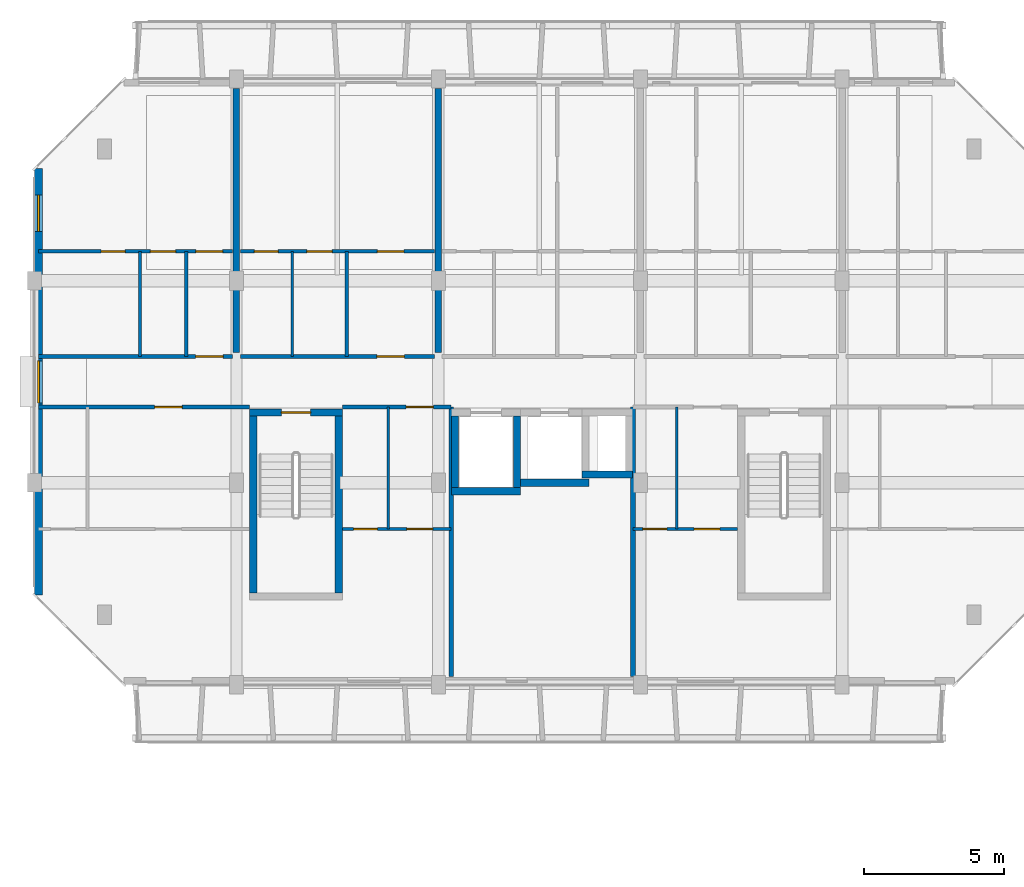
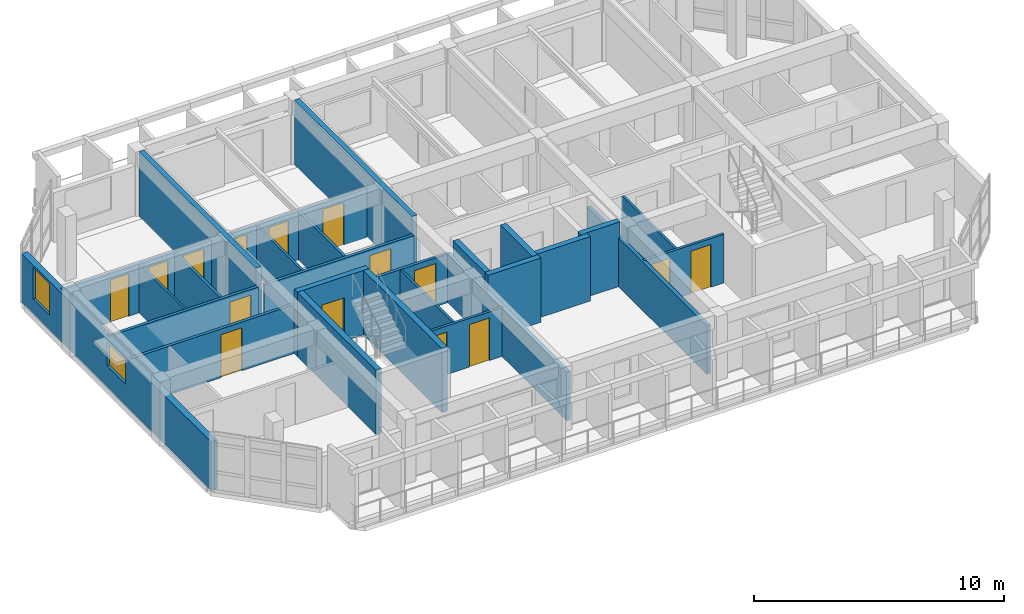
# One storey, part 26 of 51: 27 walls, 15 doors, 2 windows, 17 openings.
"""IFC4 building model written with IfcOpenShell, lengths in metres."""

from ifc_helpers import new_model, si_unit, direction, frame, frame_2d, origin, place, context, subcontext, project, spatial, rectangle, extrude, material, layer, layer_set, type_object, element, fill, save


model = new_model("IFC4")

# Units and contexts
model_context = context("Model", 3, precision=1e-05, world=origin(), true_north=direction((0.0, 1.0)))
body_context = subcontext(model_context, "Body", "Model", "MODEL_VIEW")
ifc_project = project(units=[si_unit("LENGTHUNIT", "METRE"), si_unit("AREAUNIT", "SQUARE_METRE"), si_unit("VOLUMEUNIT", "CUBIC_METRE"), si_unit("PLANEANGLEUNIT", "RADIAN"), si_unit("MASSUNIT", "GRAM", prefix="KILO")], contexts=[model_context])

# Site, building, storey
site_placement = place(None, origin())
site = spatial("IfcSite", under=ifc_project, at=site_placement, CompositionType="ELEMENT")
building_placement = place(site_placement, origin())
building = spatial("IfcBuilding", under=site, at=building_placement, Name="Ochrevale Crest", CompositionType="ELEMENT")
storey_placement = place(building_placement, frame((0.0, 0.0, 11.85009765625)))
storey = spatial("IfcBuildingStorey", under=building, at=storey_placement, Name="L03", CompositionType="ELEMENT", Elevation=11.85009765625)

# Wall, opening, door
ifc_material_1 = material(Name="Gypsum plasterboard", Category="gypsum")
ifc_layer_1 = layer(ifc_material_1, 0.139892578125)
ifc_layer_set_1 = layer_set([ifc_layer_1], Name="Gypsum plasterboard")
wall_type_1 = type_object("IfcWallType", Name="WL-COR-140", PredefinedType="PARTITIONING", material=ifc_layer_set_1)
wall_1_placement = place(storey_placement, frame((0.139892578125, 83.699951171875, 0.0), z_axis=(0.0, 0.0, 1.0), x_axis=(1.0, 0.0, 0.0)))
wall_1 = element("IfcWall", 1, at=wall_1_placement, inside=storey, type_object=wall_type_1, Name="Apartment B-L03-U1 corridor wall", PredefinedType="PARTITIONING", context=body_context, shape_type="SweptSolid", body=[
    extrude(rectangle(XDim=6.920166015625, YDim=0.139892578125, at=frame_2d((3.4599609375, 0.0))), origin(), (0.0, 0.0, 1.0), 2.3798828125),
])
opening_1_placement = place(wall_1_placement, frame((6.5849609375, 0.0, 0.0), z_axis=(0.0, 0.0, 1.0), x_axis=(-1.0, 0.0, 0.0)))
opening_1 = element("IfcOpeningElement", 2, at=opening_1_placement, cuts=wall_1, Name="Opening FD01", PredefinedType="OPENING", context=body_context, shape_type="SweptSolid", body=[
    extrude(rectangle(XDim=0.97998046875, YDim=2.10009765625, at=frame_2d((0.489990234375, 1.050048828125))), frame((0.0, 0.080078125, 0.0), z_axis=(0.0, -1.0, 0.0), x_axis=(1.0, 0.0, 0.0)), (0.0, 0.0, 1.0), 0.159912109375),
])
ifc_material_2 = material(Name="Solid-core FSC hardwood", Category="wood")
door_type_1 = type_object("IfcDoorType", Name="DR-APT-950", OperationType="NOTDEFINED", PredefinedType="DOOR", material=ifc_material_2)
door_1_placement = place(opening_1_placement, origin())
door_1 = element("IfcDoor", 3, at=door_1_placement, inside=storey, type_object=door_type_1, Name="Apartment B-L03-U1 entrance door", OperationType="SINGLE_SWING_RIGHT", OverallHeight=2.10009765625, OverallWidth=0.97998046875, PredefinedType="DOOR", context=body_context, shape_type="SweptSolid", body=[
    extrude(rectangle(XDim=0.97998046875, YDim=2.10009765625, at=frame_2d((0.489990234375, 1.050048828125))), frame((0.0, 0.02490234375, 0.0), z_axis=(0.0, -1.0, 0.0), x_axis=(1.0, 0.0, 0.0)), (0.0, 0.0, 1.0), 0.050048828125),
])
fill(opening_1, door_1)

wall_2_placement = place(storey_placement, frame((7.340087890625, 83.699951171875, 0.0), z_axis=(0.0, 0.0, 1.0), x_axis=(1.0, 0.0, 0.0)))
wall_2 = element("IfcWall", 4, at=wall_2_placement, inside=storey, type_object=wall_type_1, Name="Apartment B-L03-U2 corridor wall", PredefinedType="PARTITIONING", context=body_context, shape_type="SweptSolid", body=[
    extrude(rectangle(XDim=6.919921875, YDim=0.139892578125, at=frame_2d((3.4599609375, 0.0))), origin(), (0.0, 0.0, 1.0), 2.3798828125),
])
opening_2_placement = place(wall_2_placement, frame((5.85009765625, 0.0, 0.0), z_axis=(0.0, 0.0, 1.0), x_axis=(-1.0, 0.0, 0.0)))
opening_2 = element("IfcOpeningElement", 5, at=opening_2_placement, cuts=wall_2, Name="Opening FD01", PredefinedType="OPENING", context=body_context, shape_type="SweptSolid", body=[
    extrude(rectangle(XDim=0.97998046875, YDim=2.10009765625, at=frame_2d((0.489990234375, 1.050048828125))), frame((0.0, 0.080078125, 0.0), z_axis=(0.0, -1.0, 0.0), x_axis=(1.0, 0.0, 0.0)), (0.0, 0.0, 1.0), 0.159912109375),
])
door_2_placement = place(opening_2_placement, origin())
door_2 = element("IfcDoor", 6, at=door_2_placement, inside=storey, type_object=door_type_1, Name="Apartment B-L03-U2 entrance door", OperationType="SINGLE_SWING_RIGHT", OverallHeight=2.10009765625, OverallWidth=0.97998046875, PredefinedType="DOOR", context=body_context, shape_type="SweptSolid", body=[
    extrude(rectangle(XDim=0.97998046875, YDim=2.10009765625, at=frame_2d((0.489990234375, 1.050048828125))), frame((0.0, 0.02490234375, 0.0), z_axis=(0.0, -1.0, 0.0), x_axis=(1.0, 0.0, 0.0)), (0.0, 0.0, 1.0), 0.050048828125),
])
fill(opening_2, door_2)

wall_3_placement = place(storey_placement, frame((0.139892578125, 81.89990234375, 0.0), z_axis=(0.0, 0.0, 1.0), x_axis=(1.0, 0.0, 0.0)))
wall_3 = element("IfcWall", 7, at=wall_3_placement, inside=storey, type_object=wall_type_1, Name="Suite B-L03-CW corridor wall", PredefinedType="PARTITIONING", context=body_context, shape_type="SweptSolid", body=[
    extrude(rectangle(XDim=7.52001953125, YDim=0.139892578125, at=frame_2d((3.760009765625, 0.0))), origin(), (0.0, 0.0, 1.0), 2.3798828125),
])
opening_3_placement = place(wall_3_placement, frame((4.14501953125, 0.0, 0.0)))
opening_3 = element("IfcOpeningElement", 8, at=opening_3_placement, cuts=wall_3, Name="Opening FD01", PredefinedType="OPENING", context=body_context, shape_type="SweptSolid", body=[
    extrude(rectangle(XDim=0.97998046875, YDim=2.10009765625, at=frame_2d((0.489990234375, 1.050048828125))), frame((0.0, 0.080078125, 0.0), z_axis=(0.0, -1.0, 0.0), x_axis=(1.0, 0.0, 0.0)), (0.0, 0.0, 1.0), 0.159912109375),
])
door_3_placement = place(opening_3_placement, origin())
door_3 = element("IfcDoor", 9, at=door_3_placement, inside=storey, type_object=door_type_1, Name="Suite B-L03-CW entrance door", OperationType="SINGLE_SWING_LEFT", OverallHeight=2.10009765625, OverallWidth=0.97998046875, PredefinedType="DOOR", context=body_context, shape_type="SweptSolid", body=[
    extrude(rectangle(XDim=0.97998046875, YDim=2.10009765625, at=frame_2d((0.489990234375, 1.050048828125))), frame((0.0, 0.02490234375, 0.0), z_axis=(0.0, -1.0, 0.0), x_axis=(1.0, 0.0, 0.0)), (0.0, 0.0, 1.0), 0.050048828125),
])
fill(opening_3, door_3)

wall_4_placement = place(storey_placement, frame((10.989990234375, 81.89990234375, 0.0), z_axis=(0.0, 0.0, 1.0), x_axis=(1.0, 0.0, 0.0)))
wall_4 = element("IfcWall", 10, at=wall_4_placement, inside=storey, type_object=wall_type_1, Name="Suite B-L03-MW corridor wall", PredefinedType="PARTITIONING", context=body_context, shape_type="SweptSolid", body=[
    extrude(rectangle(XDim=3.8701171875, YDim=0.139892578125, at=frame_2d((1.93505859375, 0.0))), origin(), (0.0, 0.0, 1.0), 2.3798828125),
])
opening_4_placement = place(wall_4_placement, frame((3.23779296875, 0.0, 0.0), z_axis=(0.0, 0.0, 1.0), x_axis=(-1.0, 0.0, 0.0)))
opening_4 = element("IfcOpeningElement", 11, at=opening_4_placement, cuts=wall_4, Name="Opening FD01", PredefinedType="OPENING", context=body_context, shape_type="SweptSolid", body=[
    extrude(rectangle(XDim=0.97998046875, YDim=2.10009765625, at=frame_2d((0.489990234375, 1.050048828125))), frame((0.0, 0.080078125, 0.0), z_axis=(0.0, -1.0, 0.0), x_axis=(1.0, 0.0, 0.0)), (0.0, 0.0, 1.0), 0.159912109375),
])
door_4_placement = place(opening_4_placement, origin())
door_4 = element("IfcDoor", 12, at=door_4_placement, inside=storey, type_object=door_type_1, Name="Suite B-L03-MW entrance door", OperationType="SINGLE_SWING_RIGHT", OverallHeight=2.10009765625, OverallWidth=0.97998046875, PredefinedType="DOOR", context=body_context, shape_type="SweptSolid", body=[
    extrude(rectangle(XDim=0.97998046875, YDim=2.10009765625, at=frame_2d((0.489990234375, 1.050048828125))), frame((0.0, 0.02490234375, 0.0), z_axis=(0.0, -1.0, 0.0), x_axis=(1.0, 0.0, 0.0)), (0.0, 0.0, 1.0), 0.050048828125),
])
fill(opening_4, door_4)

ifc_material_3 = material(Name="Precast concrete C50/60", Category="concrete")
ifc_layer_2 = layer(ifc_material_3, 0.2548828125)
ifc_layer_set_2 = layer_set([ifc_layer_2], Name="Precast concrete C50/60")
wall_type_2 = type_object("IfcWallType", Name="WL-CORE-255", PredefinedType="SHEAR", material=ifc_layer_set_2)
wall_5_placement = place(storey_placement, frame((7.672607421875, 81.699951171875, 0.0), z_axis=(0.0, 0.0, 1.0), x_axis=(1.0, 0.0, 0.0)))
wall_5 = element("IfcWall", 13, at=wall_5_placement, inside=storey, type_object=wall_type_2, Name="Block B L03 Stair 1 precast core shear wall N", PredefinedType="SHEAR", context=body_context, shape_type="SweptSolid", body=[
    extrude(rectangle(XDim=3.304931640625, YDim=0.2548828125, at=frame_2d((1.65234375, 0.0))), origin(), (0.0, 0.0, 1.0), 3.14990234375),
])
opening_5_placement = place(wall_5_placement, frame((2.177490234375, 0.0, 0.0), z_axis=(0.0, 0.0, 1.0), x_axis=(-1.0, 0.0, 0.0)))
opening_5 = element("IfcOpeningElement", 14, at=opening_5_placement, cuts=wall_5, Name="Opening FD03", PredefinedType="OPENING", context=body_context, shape_type="SweptSolid", body=[
    extrude(rectangle(XDim=1.050048828125, YDim=2.1201171875, at=frame_2d((0.52490234375, 1.06005859375))), frame((0.0, 0.137451171875, 0.0), z_axis=(0.0, -1.0, 0.0), x_axis=(1.0, 0.0, 0.0)), (0.0, 0.0, 1.0), 0.27490234375),
])
door_type_2 = type_object("IfcDoorType", Name="DR-ST-1050", OperationType="NOTDEFINED", PredefinedType="DOOR", material=ifc_material_2)
door_5_placement = place(opening_5_placement, origin())
door_5 = element("IfcDoor", 15, at=door_5_placement, inside=storey, type_object=door_type_2, Name="Block B L03 fire stair 1 door", OperationType="SINGLE_SWING_RIGHT", OverallHeight=2.1201171875, OverallWidth=1.050048828125, PredefinedType="DOOR", context=body_context, shape_type="SweptSolid", body=[
    extrude(rectangle(XDim=1.050048828125, YDim=2.1201171875, at=frame_2d((0.52490234375, 1.06005859375))), frame((0.0, 0.02490234375, 0.0), z_axis=(0.0, -1.0, 0.0), x_axis=(1.0, 0.0, 0.0)), (0.0, 0.0, 1.0), 0.050048828125),
])
fill(opening_5, door_5)

# Walls
for number, where, z_axis, x_axis, name in (
    (16, (7.800048828125, 75.277587890625, 0.0), (0.0, 0.0, 1.0), (0.0, 1.0, 0.0), "Block B L03 Stair 1 precast core shear wall W"),
    (17, (10.85009765625, 75.277587890625, 0.0), (0.0, 0.0, 1.0), (0.0, 1.0, 0.0), "Block B L03 Stair 1 precast core shear wall E"),
):
    element("IfcWall", number, at=place(storey_placement, frame(where, z_axis=z_axis, x_axis=x_axis)), inside=storey, type_object=wall_type_2, Name=name, PredefinedType="SHEAR", context=body_context, shape_type="SweptSolid", body=[
        extrude(rectangle(XDim=6.294921875, YDim=0.2548828125, at=frame_2d((3.1474609375, 0.0))), origin(), (0.0, 0.0, 1.0), 3.14990234375),
    ])
wall_6_placement = place(storey_placement, frame((14.87255859375, 78.89990234375, 0.0), z_axis=(0.0, 0.0, 1.0), x_axis=(1.0, 0.0, 0.0)))
element("IfcWall", 18, at=wall_6_placement, inside=storey, type_object=wall_type_2, Name="Block B L03 Lift 1 precast shaft shear wall S", PredefinedType="SHEAR", context=body_context, shape_type="SweptSolid", body=[
    extrude(rectangle(XDim=2.454833984375, YDim=0.2548828125, at=frame_2d((1.2275390625, 0.0))), origin(), (0.0, 0.0, 1.0), 3.14990234375),
])
for number, where, z_axis, x_axis, name in (
    (19, (15.0, 79.027587890625, 0.0), (0.0, 0.0, 1.0), (0.0, 1.0, 0.0), "Block B L03 Lift 1 precast shaft shear wall W"),
    (20, (17.199951171875, 79.027587890625, 0.0), (0.0, 0.0, 1.0), (0.0, 1.0, 0.0), "Block B L03 Lift 1 precast shaft shear wall E"),
):
    element("IfcWall", number, at=place(storey_placement, frame(where, z_axis=z_axis, x_axis=x_axis)), inside=storey, type_object=wall_type_2, Name=name, PredefinedType="SHEAR", context=body_context, shape_type="SweptSolid", body=[
        extrude(rectangle(XDim=2.544921875, YDim=0.2548828125, at=frame_2d((1.2724609375, 0.0))), origin(), (0.0, 0.0, 1.0), 3.14990234375),
    ])
wall_7_placement = place(storey_placement, frame((17.322509765625, 79.199951171875, 0.0), z_axis=(0.0, 0.0, 1.0), x_axis=(1.0, 0.0, 0.0)))
element("IfcWall", 21, at=wall_7_placement, inside=storey, type_object=wall_type_2, Name="Block B L03 Lift 2 precast shaft shear wall S", PredefinedType="SHEAR", context=body_context, shape_type="SweptSolid", body=[
    extrude(rectangle(XDim=2.455078125, YDim=0.2548828125, at=frame_2d((1.2275390625, 0.0))), origin(), (0.0, 0.0, 1.0), 3.14990234375),
])
wall_8_placement = place(storey_placement, frame((19.5224609375, 79.5, 0.0), z_axis=(0.0, 0.0, 1.0), x_axis=(1.0, 0.0, 0.0)))
element("IfcWall", 22, at=wall_8_placement, inside=storey, type_object=wall_type_2, Name="Block B L03 services riser shaft core wall S", PredefinedType="SHEAR", context=body_context, shape_type="SweptSolid", body=[
    extrude(rectangle(XDim=1.804931640625, YDim=0.2548828125, at=frame_2d((0.90234375, 0.0))), origin(), (0.0, 0.0, 1.0), 3.14990234375),
])

# Wall, openings, windows
ifc_material_4 = material(Name="Clay face brickwork", Category="masonry")
ifc_layer_3 = layer(ifc_material_4, 0.2900390625)
ifc_layer_set_3 = layer_set([ifc_layer_3], Name="Clay face brickwork")
wall_type_3 = type_object("IfcWallType", Name="WL-EXT-BRICK-290", PredefinedType="SOLIDWALL", material=ifc_layer_set_3)
wall_9_placement = place(storey_placement, frame((0.14501953125, 90.39990234375, 0.0), z_axis=(0.0, 0.0, 1.0), x_axis=(0.0, -1.0, 0.0)))
wall_9 = element("IfcWall", 23, at=wall_9_placement, inside=storey, type_object=wall_type_3, Name="Block B L03 external facade wall E7", PredefinedType="SOLIDWALL", context=body_context, shape_type="SweptSolid", body=[
    extrude(rectangle(XDim=15.199951171875, YDim=0.2900390625, at=frame_2d((7.60009765625, 0.0))), origin(), (0.0, 0.0, 1.0), 2.3798828125),
])
opening_6_placement = place(wall_9_placement, frame((6.85009765625, 0.0, 1.050048828125)))
opening_6 = element("IfcOpeningElement", 24, at=opening_6_placement, cuts=wall_9, Name="Opening W18", PredefinedType="OPENING", context=body_context, shape_type="SweptSolid", body=[
    extrude(rectangle(XDim=1.5, YDim=1.14990234375, at=frame_2d((0.75, 0.574951171875))), frame((0.0, 0.155029296875, 0.0), z_axis=(0.0, -1.0, 0.0), x_axis=(1.0, 0.0, 0.0)), (0.0, 0.0, 1.0), 0.31005859375),
])
opening_7_placement = place(wall_9_placement, frame((0.93994140625, 0.0, 0.719970703125)))
opening_7 = element("IfcOpeningElement", 25, at=opening_7_placement, cuts=wall_9, Name="Opening W30", PredefinedType="OPENING", context=body_context, shape_type="SweptSolid", body=[
    extrude(rectangle(XDim=1.300048828125, YDim=1.550048828125, at=frame_2d((0.64990234375, 0.77490234375))), frame((0.0, 0.155029296875, 0.0), z_axis=(0.0, -1.0, 0.0), x_axis=(1.0, 0.0, 0.0)), (0.0, 0.0, 1.0), 0.31005859375),
])
ifc_material_5 = material(Name="Anodised aluminium 6063-T5 and low-E double glazing", Category="aluminium")
window_type_1 = type_object("IfcWindowType", Name="WIN-W18", PartitioningType="SINGLE_PANEL", PredefinedType="WINDOW", material=ifc_material_5)
window_1_placement = place(opening_6_placement, origin())
window_1 = element("IfcWindow", 26, at=window_1_placement, inside=storey, type_object=window_type_1, Name="Block B L03 corridor end daylight window W", OverallHeight=1.14990234375, OverallWidth=1.5, PartitioningType="SINGLE_PANEL", PredefinedType="WINDOW", context=body_context, shape_type="SweptSolid", body=[
    extrude(rectangle(XDim=1.5, YDim=1.14990234375, at=frame_2d((0.75, 0.574951171875))), frame((0.0, 0.030029296875, 0.0), z_axis=(0.0, -1.0, 0.0), x_axis=(1.0, 0.0, 0.0)), (0.0, 0.0, 1.0), 0.06005859375),
])
fill(opening_6, window_1)
window_type_2 = type_object("IfcWindowType", Name="WIN-W30", PartitioningType="SINGLE_PANEL", PredefinedType="WINDOW", material=ifc_material_5)
window_2_placement = place(opening_7_placement, origin())
window_2 = element("IfcWindow", 27, at=window_2_placement, inside=storey, type_object=window_type_2, Name="Block B L03 side suite window W", OverallHeight=1.550048828125, OverallWidth=1.300048828125, PartitioningType="SINGLE_PANEL", PredefinedType="WINDOW", context=body_context, shape_type="SweptSolid", body=[
    extrude(rectangle(XDim=1.300048828125, YDim=1.550048828125, at=frame_2d((0.64990234375, 0.77490234375))), frame((0.0, 0.030029296875, 0.0), z_axis=(0.0, -1.0, 0.0), x_axis=(1.0, 0.0, 0.0)), (0.0, 0.0, 1.0), 0.06005859375),
])
fill(opening_7, window_2)

# Wall
ifc_layer_4 = layer(ifc_material_1, 0.1201171875)
ifc_layer_set_4 = layer_set([ifc_layer_4], Name="Gypsum plasterboard")
wall_type_4 = type_object("IfcWallType", Name="WL-PART-120", PredefinedType="PARTITIONING", material=ifc_layer_set_4)
wall_10_placement = place(storey_placement, frame((5.409912109375, 83.699951171875, 0.0), z_axis=(0.0, 0.0, 1.0), x_axis=(0.0, 1.0, 0.0)))
element("IfcWall", 28, at=wall_10_placement, inside=storey, type_object=wall_type_4, Name="Apartment B-L03-U1 kitchen-foyer wall", PredefinedType="PARTITIONING", context=body_context, shape_type="SweptSolid", body=[
    extrude(rectangle(XDim=3.75, YDim=0.1201171875, at=frame_2d((1.875, 0.0))), origin(), (0.0, 0.0, 1.0), 2.375),
])

# Wall, openings, doors
wall_11_placement = place(storey_placement, frame((0.139892578125, 87.449951171875, 0.0), z_axis=(0.0, 0.0, 1.0), x_axis=(1.0, 0.0, 0.0)))
wall_11 = element("IfcWall", 29, at=wall_11_placement, inside=storey, type_object=wall_type_4, Name="Apartment B-L03-U1 central partition", PredefinedType="PARTITIONING", context=body_context, shape_type="SweptSolid", body=[
    extrude(rectangle(XDim=6.920166015625, YDim=0.1201171875, at=frame_2d((3.4599609375, 0.0))), origin(), (0.0, 0.0, 1.0), 2.3798828125),
])
opening_8_placement = place(wall_11_placement, frame((2.239990234375, 0.0, 0.0)))
opening_8 = element("IfcOpeningElement", 30, at=opening_8_placement, cuts=wall_11, Name="Opening ID01", PredefinedType="OPENING", context=body_context, shape_type="SweptSolid", body=[
    extrude(rectangle(XDim=0.85009765625, YDim=2.080078125, at=frame_2d((0.425048828125, 1.0400390625))), frame((0.0, 0.070068359375, 0.0), z_axis=(0.0, -1.0, 0.0), x_axis=(1.0, 0.0, 0.0)), (0.0, 0.0, 1.0), 0.14013671875),
])
opening_9_placement = place(wall_11_placement, frame((4.89501953125, 0.0, 0.0), z_axis=(0.0, 0.0, 1.0), x_axis=(-1.0, 0.0, 0.0)))
opening_9 = element("IfcOpeningElement", 31, at=opening_9_placement, cuts=wall_11, Name="Opening ID02", PredefinedType="OPENING", context=body_context, shape_type="SweptSolid", body=[
    extrude(rectangle(XDim=0.89990234375, YDim=2.080078125, at=frame_2d((0.449951171875, 1.0400390625))), frame((0.0, 0.070068359375, 0.0), z_axis=(0.0, -1.0, 0.0), x_axis=(1.0, 0.0, 0.0)), (0.0, 0.0, 1.0), 0.14013671875),
])
opening_10_placement = place(wall_11_placement, frame((5.6201171875, 0.0, 0.0)))
opening_10 = element("IfcOpeningElement", 32, at=opening_10_placement, cuts=wall_11, Name="Opening ID06", PredefinedType="OPENING", context=body_context, shape_type="SweptSolid", body=[
    extrude(rectangle(XDim=0.949951171875, YDim=2.080078125, at=frame_2d((0.47509765625, 1.0400390625))), frame((0.0, 0.070068359375, 0.0), z_axis=(0.0, -1.0, 0.0), x_axis=(1.0, 0.0, 0.0)), (0.0, 0.0, 1.0), 0.14013671875),
])
door_type_3 = type_object("IfcDoorType", Name="DR-INT-900", OperationType="NOTDEFINED", PredefinedType="DOOR", material=ifc_material_2)
door_6_placement = place(opening_9_placement, origin())
door_6 = element("IfcDoor", 33, at=door_6_placement, inside=storey, type_object=door_type_3, Name="Apartment B-L03-U1 Kitchen door", OperationType="SINGLE_SWING_RIGHT", OverallHeight=2.080078125, OverallWidth=0.89990234375, PredefinedType="DOOR", context=body_context, shape_type="SweptSolid", body=[
    extrude(rectangle(XDim=0.89990234375, YDim=2.080078125, at=frame_2d((0.449951171875, 1.0400390625))), frame((0.0, 0.02490234375, 0.0), z_axis=(0.0, -1.0, 0.0), x_axis=(1.0, 0.0, 0.0)), (0.0, 0.0, 1.0), 0.050048828125),
])
fill(opening_9, door_6)
door_type_4 = type_object("IfcDoorType", Name="DR-INT-950", OperationType="NOTDEFINED", PredefinedType="DOOR", material=ifc_material_2)
door_7_placement = place(opening_10_placement, origin())
door_7 = element("IfcDoor", 34, at=door_7_placement, inside=storey, type_object=door_type_4, Name="Apartment B-L03-U1 Living Foyer door", OperationType="SINGLE_SWING_LEFT", OverallHeight=2.080078125, OverallWidth=0.949951171875, PredefinedType="DOOR", context=body_context, shape_type="SweptSolid", body=[
    extrude(rectangle(XDim=0.949951171875, YDim=2.080078125, at=frame_2d((0.47509765625, 1.0400390625))), frame((0.0, 0.02490234375, 0.0), z_axis=(0.0, -1.0, 0.0), x_axis=(1.0, 0.0, 0.0)), (0.0, 0.0, 1.0), 0.050048828125),
])
fill(opening_10, door_7)
door_type_5 = type_object("IfcDoorType", Name="DR-WC-850", OperationType="NOTDEFINED", PredefinedType="DOOR", material=ifc_material_2)
door_8_placement = place(opening_8_placement, origin())
door_8 = element("IfcDoor", 35, at=door_8_placement, inside=storey, type_object=door_type_5, Name="Apartment B-L03-U1 Bathroom door", OperationType="SINGLE_SWING_LEFT", OverallHeight=2.080078125, OverallWidth=0.85009765625, PredefinedType="DOOR", context=body_context, shape_type="SweptSolid", body=[
    extrude(rectangle(XDim=0.85009765625, YDim=2.080078125, at=frame_2d((0.425048828125, 1.0400390625))), frame((0.0, 0.02490234375, 0.0), z_axis=(0.0, -1.0, 0.0), x_axis=(1.0, 0.0, 0.0)), (0.0, 0.0, 1.0), 0.050048828125),
])
fill(opening_8, door_8)

# Wall
wall_12_placement = place(storey_placement, frame((11.139892578125, 83.699951171875, 0.0), z_axis=(0.0, 0.0, 1.0), x_axis=(0.0, 1.0, 0.0)))
element("IfcWall", 36, at=wall_12_placement, inside=storey, type_object=wall_type_4, Name="Apartment B-L03-U2 kitchen-foyer wall", PredefinedType="PARTITIONING", context=body_context, shape_type="SweptSolid", body=[
    extrude(rectangle(XDim=3.75, YDim=0.1201171875, at=frame_2d((1.875, 0.0))), origin(), (0.0, 0.0, 1.0), 2.375),
])

# Wall, openings, doors
wall_13_placement = place(storey_placement, frame((7.340087890625, 87.449951171875, 0.0), z_axis=(0.0, 0.0, 1.0), x_axis=(1.0, 0.0, 0.0)))
wall_13 = element("IfcWall", 37, at=wall_13_placement, inside=storey, type_object=wall_type_4, Name="Apartment B-L03-U2 central partition", PredefinedType="PARTITIONING", context=body_context, shape_type="SweptSolid", body=[
    extrude(rectangle(XDim=6.919921875, YDim=0.1201171875, at=frame_2d((3.4599609375, 0.0))), origin(), (0.0, 0.0, 1.0), 2.3798828125),
])
opening_11_placement = place(wall_13_placement, frame((0.5, 0.0, 0.0)))
opening_11 = element("IfcOpeningElement", 38, at=opening_11_placement, cuts=wall_13, Name="Opening ID01", PredefinedType="OPENING", context=body_context, shape_type="SweptSolid", body=[
    extrude(rectangle(XDim=0.85009765625, YDim=2.080078125, at=frame_2d((0.425048828125, 1.0400390625))), frame((0.0, 0.070068359375, 0.0), z_axis=(0.0, -1.0, 0.0), x_axis=(1.0, 0.0, 0.0)), (0.0, 0.0, 1.0), 0.14013671875),
])
opening_12_placement = place(wall_13_placement, frame((3.27490234375, 0.0, 0.0), z_axis=(0.0, 0.0, 1.0), x_axis=(-1.0, 0.0, 0.0)))
opening_12 = element("IfcOpeningElement", 39, at=opening_12_placement, cuts=wall_13, Name="Opening ID02", PredefinedType="OPENING", context=body_context, shape_type="SweptSolid", body=[
    extrude(rectangle(XDim=0.89990234375, YDim=2.080078125, at=frame_2d((0.449951171875, 1.0400390625))), frame((0.0, 0.070068359375, 0.0), z_axis=(0.0, -1.0, 0.0), x_axis=(1.0, 0.0, 0.0)), (0.0, 0.0, 1.0), 0.14013671875),
])
opening_13_placement = place(wall_13_placement, frame((4.885009765625, 0.0, 0.0)))
opening_13 = element("IfcOpeningElement", 40, at=opening_13_placement, cuts=wall_13, Name="Opening ID06", PredefinedType="OPENING", context=body_context, shape_type="SweptSolid", body=[
    extrude(rectangle(XDim=0.949951171875, YDim=2.080078125, at=frame_2d((0.47509765625, 1.0400390625))), frame((0.0, 0.070068359375, 0.0), z_axis=(0.0, -1.0, 0.0), x_axis=(1.0, 0.0, 0.0)), (0.0, 0.0, 1.0), 0.14013671875),
])
door_9_placement = place(opening_12_placement, origin())
door_9 = element("IfcDoor", 41, at=door_9_placement, inside=storey, type_object=door_type_3, Name="Apartment B-L03-U2 Kitchen door", OperationType="SINGLE_SWING_RIGHT", OverallHeight=2.080078125, OverallWidth=0.89990234375, PredefinedType="DOOR", context=body_context, shape_type="SweptSolid", body=[
    extrude(rectangle(XDim=0.89990234375, YDim=2.080078125, at=frame_2d((0.449951171875, 1.0400390625))), frame((0.0, 0.02490234375, 0.0), z_axis=(0.0, -1.0, 0.0), x_axis=(1.0, 0.0, 0.0)), (0.0, 0.0, 1.0), 0.050048828125),
])
fill(opening_12, door_9)
door_10_placement = place(opening_13_placement, origin())
door_10 = element("IfcDoor", 42, at=door_10_placement, inside=storey, type_object=door_type_4, Name="Apartment B-L03-U2 Living Foyer door", OperationType="SINGLE_SWING_LEFT", OverallHeight=2.080078125, OverallWidth=0.949951171875, PredefinedType="DOOR", context=body_context, shape_type="SweptSolid", body=[
    extrude(rectangle(XDim=0.949951171875, YDim=2.080078125, at=frame_2d((0.47509765625, 1.0400390625))), frame((0.0, 0.02490234375, 0.0), z_axis=(0.0, -1.0, 0.0), x_axis=(1.0, 0.0, 0.0)), (0.0, 0.0, 1.0), 0.050048828125),
])
fill(opening_13, door_10)
door_11_placement = place(opening_11_placement, origin())
door_11 = element("IfcDoor", 43, at=door_11_placement, inside=storey, type_object=door_type_5, Name="Apartment B-L03-U2 Bathroom door", OperationType="SINGLE_SWING_LEFT", OverallHeight=2.080078125, OverallWidth=0.85009765625, PredefinedType="DOOR", context=body_context, shape_type="SweptSolid", body=[
    extrude(rectangle(XDim=0.85009765625, YDim=2.080078125, at=frame_2d((0.425048828125, 1.0400390625))), frame((0.0, 0.02490234375, 0.0), z_axis=(0.0, -1.0, 0.0), x_axis=(1.0, 0.0, 0.0)), (0.0, 0.0, 1.0), 0.050048828125),
])
fill(opening_11, door_11)

wall_14_placement = place(storey_placement, frame((10.989990234375, 77.550048828125, 0.0), z_axis=(0.0, 0.0, 1.0), x_axis=(1.0, 0.0, 0.0)))
wall_14 = element("IfcWall", 44, at=wall_14_placement, inside=storey, type_object=wall_type_4, Name="Suite B-L03-MW internal wall", PredefinedType="PARTITIONING", context=body_context, shape_type="SweptSolid", body=[
    extrude(rectangle(XDim=3.8701171875, YDim=0.1201171875, at=frame_2d((1.93505859375, 0.0))), origin(), (0.0, 0.0, 1.0), 2.3798828125),
])
opening_14_placement = place(wall_14_placement, frame((0.3876953125, 0.0, 0.0)))
opening_14 = element("IfcOpeningElement", 45, at=opening_14_placement, cuts=wall_14, Name="Opening ID01", PredefinedType="OPENING", context=body_context, shape_type="SweptSolid", body=[
    extrude(rectangle(XDim=0.85009765625, YDim=2.080078125, at=frame_2d((0.425048828125, 1.0400390625))), frame((0.0, 0.070068359375, 0.0), z_axis=(0.0, -1.0, 0.0), x_axis=(1.0, 0.0, 0.0)), (0.0, 0.0, 1.0), 0.14013671875),
])
opening_15_placement = place(wall_14_placement, frame((3.20751953125, 0.0, 0.0), z_axis=(0.0, 0.0, 1.0), x_axis=(-1.0, 0.0, 0.0)))
opening_15 = element("IfcOpeningElement", 46, at=opening_15_placement, cuts=wall_14, Name="Opening ID04", PredefinedType="OPENING", context=body_context, shape_type="SweptSolid", body=[
    extrude(rectangle(XDim=0.919921875, YDim=2.080078125, at=frame_2d((0.4599609375, 1.0400390625))), frame((0.0, 0.070068359375, 0.0), z_axis=(0.0, -1.0, 0.0), x_axis=(1.0, 0.0, 0.0)), (0.0, 0.0, 1.0), 0.14013671875),
])
door_type_6 = type_object("IfcDoorType", Name="DR-INT-920", OperationType="NOTDEFINED", PredefinedType="DOOR", material=ifc_material_2)
door_12_placement = place(opening_15_placement, origin())
door_12 = element("IfcDoor", 47, at=door_12_placement, inside=storey, type_object=door_type_6, Name="Suite B-L03-MW Courtyard Studio Living door", OperationType="SINGLE_SWING_RIGHT", OverallHeight=2.080078125, OverallWidth=0.919921875, PredefinedType="DOOR", context=body_context, shape_type="SweptSolid", body=[
    extrude(rectangle(XDim=0.919921875, YDim=2.080078125, at=frame_2d((0.4599609375, 1.0400390625))), frame((0.0, 0.02490234375, 0.0), z_axis=(0.0, -1.0, 0.0), x_axis=(1.0, 0.0, 0.0)), (0.0, 0.0, 1.0), 0.050048828125),
])
fill(opening_15, door_12)
door_13_placement = place(opening_14_placement, origin())
door_13 = element("IfcDoor", 48, at=door_13_placement, inside=storey, type_object=door_type_5, Name="Suite B-L03-MW Bathroom door", OperationType="SINGLE_SWING_LEFT", OverallHeight=2.080078125, OverallWidth=0.85009765625, PredefinedType="DOOR", context=body_context, shape_type="SweptSolid", body=[
    extrude(rectangle(XDim=0.85009765625, YDim=2.080078125, at=frame_2d((0.425048828125, 1.0400390625))), frame((0.0, 0.02490234375, 0.0), z_axis=(0.0, -1.0, 0.0), x_axis=(1.0, 0.0, 0.0)), (0.0, 0.0, 1.0), 0.050048828125),
])
fill(opening_14, door_13)

wall_15_placement = place(storey_placement, frame((21.340087890625, 77.550048828125, 0.0), z_axis=(0.0, 0.0, 1.0), x_axis=(1.0, 0.0, 0.0)))
wall_15 = element("IfcWall", 49, at=wall_15_placement, inside=storey, type_object=wall_type_4, Name="Suite B-L03-ME internal wall", PredefinedType="PARTITIONING", context=body_context, shape_type="SweptSolid", body=[
    extrude(rectangle(XDim=3.719970703125, YDim=0.1201171875, at=frame_2d((1.85986328125, 0.0))), origin(), (0.0, 0.0, 1.0), 2.3798828125),
])
opening_16_placement = place(wall_15_placement, frame((1.206298828125, 0.0, 0.0), z_axis=(0.0, 0.0, 1.0), x_axis=(-1.0, 0.0, 0.0)))
opening_16 = element("IfcOpeningElement", 50, at=opening_16_placement, cuts=wall_15, Name="Opening ID01", PredefinedType="OPENING", context=body_context, shape_type="SweptSolid", body=[
    extrude(rectangle(XDim=0.85009765625, YDim=2.080078125, at=frame_2d((0.425048828125, 1.0400390625))), frame((0.0, 0.070068359375, 0.0), z_axis=(0.0, -1.0, 0.0), x_axis=(1.0, 0.0, 0.0)), (0.0, 0.0, 1.0), 0.14013671875),
])
opening_17_placement = place(wall_15_placement, frame((2.18115234375, 0.0, 0.0)))
opening_17 = element("IfcOpeningElement", 51, at=opening_17_placement, cuts=wall_15, Name="Opening ID04", PredefinedType="OPENING", context=body_context, shape_type="SweptSolid", body=[
    extrude(rectangle(XDim=0.919921875, YDim=2.080078125, at=frame_2d((0.4599609375, 1.0400390625))), frame((0.0, 0.070068359375, 0.0), z_axis=(0.0, -1.0, 0.0), x_axis=(1.0, 0.0, 0.0)), (0.0, 0.0, 1.0), 0.14013671875),
])
door_14_placement = place(opening_17_placement, origin())
door_14 = element("IfcDoor", 52, at=door_14_placement, inside=storey, type_object=door_type_6, Name="Suite B-L03-ME Garden Alcove Studio door", OperationType="SINGLE_SWING_LEFT", OverallHeight=2.080078125, OverallWidth=0.919921875, PredefinedType="DOOR", context=body_context, shape_type="SweptSolid", body=[
    extrude(rectangle(XDim=0.919921875, YDim=2.080078125, at=frame_2d((0.4599609375, 1.0400390625))), frame((0.0, 0.02490234375, 0.0), z_axis=(0.0, -1.0, 0.0), x_axis=(1.0, 0.0, 0.0)), (0.0, 0.0, 1.0), 0.050048828125),
])
fill(opening_17, door_14)
door_15_placement = place(opening_16_placement, origin())
door_15 = element("IfcDoor", 53, at=door_15_placement, inside=storey, type_object=door_type_5, Name="Suite B-L03-ME Bathroom door", OperationType="SINGLE_SWING_RIGHT", OverallHeight=2.080078125, OverallWidth=0.85009765625, PredefinedType="DOOR", context=body_context, shape_type="SweptSolid", body=[
    extrude(rectangle(XDim=0.85009765625, YDim=2.080078125, at=frame_2d((0.425048828125, 1.0400390625))), frame((0.0, 0.02490234375, 0.0), z_axis=(0.0, -1.0, 0.0), x_axis=(1.0, 0.0, 0.0)), (0.0, 0.0, 1.0), 0.050048828125),
])
fill(opening_16, door_15)

# Walls
ifc_layer_5 = layer(ifc_material_3, 0.239990234375)
ifc_layer_set_5 = layer_set([ifc_layer_5], Name="Precast concrete C50/60")
wall_type_5 = type_object("IfcWallType", Name="WL-SHEAR-240", PredefinedType="SHEAR", material=ifc_layer_set_5)
for number, where, z_axis, x_axis, name in (
    (54, (7.199951171875, 83.85009765625, 0.0), (0.0, 0.0, 1.0), (0.0, 1.0, 0.0), "Block B L03 load-bearing precast cross-wall X=7.2"),
    (55, (14.39990234375, 83.85009765625, 0.0), (0.0, 0.0, 1.0), (0.0, 1.0, 0.0), "Block B L03 load-bearing precast cross-wall X=14.4"),
):
    element("IfcWall", number, at=place(storey_placement, frame(where, z_axis=z_axis, x_axis=x_axis)), inside=storey, type_object=wall_type_5, Name=name, PredefinedType="SHEAR", context=body_context, shape_type="SweptSolid", body=[
        extrude(rectangle(XDim=9.39990234375, YDim=0.239990234375, at=frame_2d((4.699951171875, 0.0))), origin(), (0.0, 0.0, 1.0), 3.14990234375),
    ])
ifc_layer_6 = layer(ifc_material_1, 0.169921875)
ifc_layer_set_6 = layer_set([ifc_layer_6], Name="Gypsum plasterboard")
wall_type_6 = type_object("IfcWallType", Name="WL-TEN-170", PredefinedType="PARTITIONING", material=ifc_layer_set_6)
for number, where, z_axis, x_axis, name in (
    (56, (14.860107421875, 72.300048828125, 0.0), (0.0, 0.0, 1.0), (0.0, 1.0, 0.0), "Suite B-L03-MW east party wall"),
    (57, (21.340087890625, 72.300048828125, 0.0), (0.0, 0.0, 1.0), (0.0, 1.0, 0.0), "Suite B-L03-ME west party wall"),
):
    element("IfcWall", number, at=place(storey_placement, frame(where, z_axis=z_axis, x_axis=x_axis)), inside=storey, type_object=wall_type_6, Name=name, PredefinedType="PARTITIONING", context=body_context, shape_type="SweptSolid", body=[
        extrude(rectangle(XDim=9.599853515625, YDim=0.169921875, at=frame_2d((4.7998046875, 0.0))), origin(), (0.0, 0.0, 1.0), 2.3798828125),
    ])
ifc_layer_7 = layer(ifc_material_1, 0.10009765625)
ifc_layer_set_7 = layer_set([ifc_layer_7], Name="Gypsum plasterboard")
wall_type_7 = type_object("IfcWallType", Name="WL-WET-100", PredefinedType="PARTITIONING", material=ifc_layer_set_7)
for number, where, z_axis, x_axis, name in (
    (58, (3.760009765625, 83.699951171875, 0.0), (0.0, 0.0, 1.0), (0.0, 1.0, 0.0), "Apartment B-L03-U1 bath-kitchen wall"),
    (59, (9.18994140625, 83.699951171875, 0.0), (0.0, 0.0, 1.0), (0.0, 1.0, 0.0), "Apartment B-L03-U2 bath-kitchen wall"),
):
    element("IfcWall", number, at=place(storey_placement, frame(where, z_axis=z_axis, x_axis=x_axis)), inside=storey, type_object=wall_type_7, Name=name, PredefinedType="PARTITIONING", context=body_context, shape_type="SweptSolid", body=[
        extrude(rectangle(XDim=3.75, YDim=0.10009765625, at=frame_2d((1.875, 0.0))), origin(), (0.0, 0.0, 1.0), 2.375),
    ])
for number, where, z_axis, x_axis, name in (
    (60, (12.615478515625, 77.550048828125, 0.0), (0.0, 0.0, 1.0), (0.0, 1.0, 0.0), "Suite B-L03-MW bathroom divider"),
    (61, (22.90234375, 77.550048828125, 0.0), (0.0, 0.0, 1.0), (0.0, 1.0, 0.0), "Suite B-L03-ME bathroom divider"),
):
    element("IfcWall", number, at=place(storey_placement, frame(where, z_axis=z_axis, x_axis=x_axis)), inside=storey, type_object=wall_type_7, Name=name, PredefinedType="PARTITIONING", context=body_context, shape_type="SweptSolid", body=[
        extrude(rectangle(XDim=4.349853515625, YDim=0.10009765625, at=frame_2d((2.1748046875, 0.0))), origin(), (0.0, 0.0, 1.0), 2.375),
    ])

save(model, "model.ifc")
